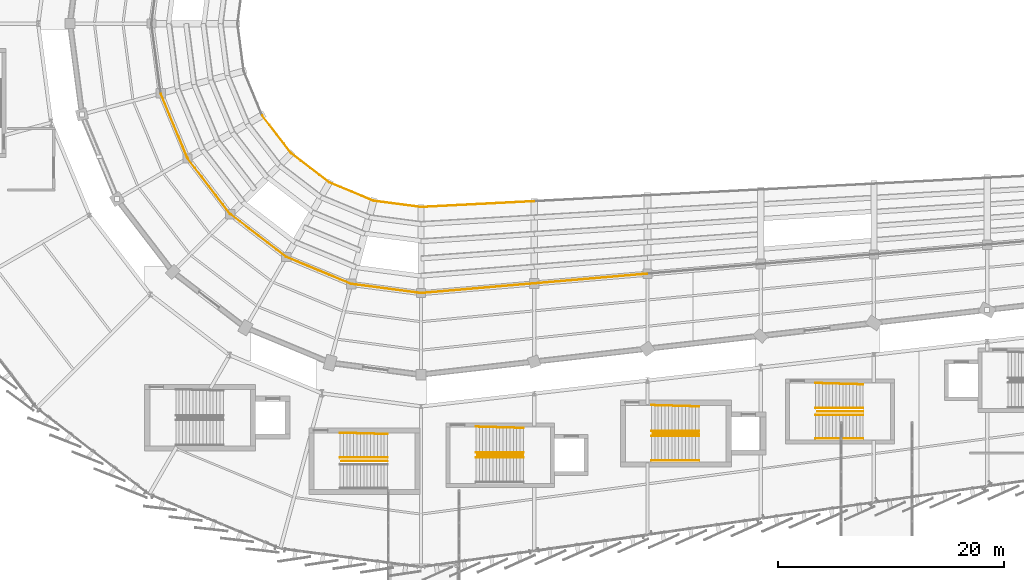
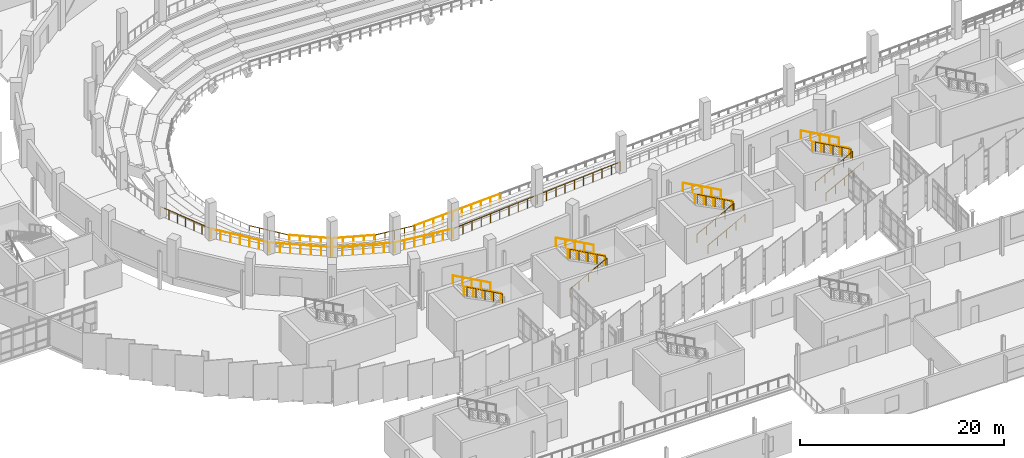
# One storey, part 125 of 134: 29 railings.
"""IFC4 building model written with IfcOpenShell, lengths in metres."""

from ifc_helpers import new_model, si_unit, direction, frame, origin, origin_2d, place, context, subcontext, project, spatial, circle, extrude, material, type_object, element, save


model = new_model("IFC4")

# Units and contexts
model_context = context("Model", 3, precision=1e-05, world=origin(), true_north=direction((0.0, 1.0)))
body_context = subcontext(model_context, "Body", "Model", "MODEL_VIEW")
ifc_project = project(units=[si_unit("LENGTHUNIT", "METRE"), si_unit("AREAUNIT", "SQUARE_METRE"), si_unit("VOLUMEUNIT", "CUBIC_METRE"), si_unit("PLANEANGLEUNIT", "RADIAN"), si_unit("MASSUNIT", "GRAM", prefix="KILO")], contexts=[model_context])

# Site, building, storey
site_placement = place(None, origin())
site = spatial("IfcSite", under=ifc_project, at=site_placement, CompositionType="ELEMENT")
building_placement = place(site_placement, origin())
building = spatial("IfcBuilding", under=site, at=building_placement, Name="Sohan Crest Arena", CompositionType="ELEMENT")
storey_placement = place(building_placement, frame((0.0, 0.0, 4.5)))
storey = spatial("IfcBuildingStorey", under=building, at=storey_placement, Name="L01", CompositionType="ELEMENT", Elevation=4.5)

# Railings
ifc_material_1 = material(Name="Powder-coated wrought steel balustrade", Category="steel")
railing_type_1 = type_object("IfcRailingType", Name="ARC-GRD-01", PredefinedType="GUARDRAIL", material=ifc_material_1)
for number, where, name in (
    (1, (107.030029296875, 39.89990234375, 2.25), "Stair well slot guard GRD-030"),
    (2, (122.530029296875, 41.800048828125, 2.25), "Stair well slot guard GRD-042"),
    (3, (95.030029296875, 39.360107421875, 2.25), "Stair well slot guard GRD-101"),
    (4, (137.030029296875, 43.75, 2.25), "Stair well slot guard GRD-113"),
):
    element("IfcRailing", number, at=place(storey_placement, frame(where)), inside=storey, type_object=railing_type_1, Name=name, PredefinedType="GUARDRAIL", context=body_context, shape_type="SweptSolid", body=[
        extrude(circle(Radius=0.02392578125, at=origin_2d()), frame((0.0, 0.0, 1.076171875), z_axis=(-0.87313487534, 0.0, 0.487478706678), x_axis=(0.0, -1.0, 0.0)), (0.0, 0.0, 1.0), 4.615478515625),
        extrude(circle(Radius=0.02099609375, at=origin_2d()), origin(), (0.0, 0.0, 1.0), 1.052001953125),
        extrude(circle(Radius=0.02099609375, at=origin_2d()), frame((-1.007568359375, 0.0, 0.5625)), (0.0, 0.0, 1.0), 1.052001953125),
        extrude(circle(Radius=0.02099609375, at=origin_2d()), frame((-2.01513671875, 0.0, 1.125)), (0.0, 0.0, 1.0), 1.052001953125),
        extrude(circle(Radius=0.02099609375, at=origin_2d()), frame((-3.0224609375, 0.0, 1.6875)), (0.0, 0.0, 1.0), 1.052001953125),
        extrude(circle(Radius=0.02099609375, at=origin_2d()), frame((-4.030029296875, 0.0, 2.25)), (0.0, 0.0, 1.0), 1.052001953125),
    ])
ifc_material_2 = material(Name="Laminated glass and steel sightline guard", Category="steel")
railing_type_2 = type_object("IfcRailingType", Name="ARC-GRD-02", PredefinedType="GUARDRAIL", material=ifc_material_2)
railing_1_placement = place(storey_placement, frame((83.993896484375, 69.867919921875, -4.25)))
element("IfcRailing", 5, at=railing_1_placement, inside=storey, type_object=railing_type_2, Name="Courtside bowl crowd barrier GRD-131", PredefinedType="GUARDRAIL", context=body_context, shape_type="SweptSolid", body=[
    extrude(circle(Radius=0.02392578125, at=origin_2d()), frame((0.0, 0.0, 1.1259765625), z_axis=(0.60903663261, -0.793142093284, 0.0), x_axis=(0.793142093284, 0.60903663261, 0.0)), (0.0, 0.0, 1.0), 4.1494140625),
    extrude(circle(Radius=0.02099609375, at=origin_2d()), origin(), (0.0, 0.0, 1.0), 1.101806640625),
    extrude(circle(Radius=0.02099609375, at=origin_2d()), frame((0.6318359375, -0.82275390625, 0.0)), (0.0, 0.0, 1.0), 1.101806640625),
    extrude(circle(Radius=0.02099609375, at=origin_2d()), frame((1.263671875, -1.6455078125, 0.0)), (0.0, 0.0, 1.0), 1.101806640625),
    extrude(circle(Radius=0.02099609375, at=origin_2d()), frame((1.895263671875, -2.46826171875, 0.0)), (0.0, 0.0, 1.0), 1.101806640625),
    extrude(circle(Radius=0.02099609375, at=origin_2d()), frame((2.527099609375, -3.291015625, 0.0)), (0.0, 0.0, 1.0), 1.101806640625),
])
railing_2_placement = place(storey_placement, frame((86.576904296875, 66.52099609375, -4.25)))
element("IfcRailing", 6, at=railing_2_placement, inside=storey, type_object=railing_type_2, Name="Courtside bowl crowd barrier GRD-132", PredefinedType="GUARDRAIL", context=body_context, shape_type="SweptSolid", body=[
    extrude(circle(Radius=0.02392578125, at=origin_2d()), frame((0.0, 0.0, 1.1259765625), z_axis=(0.793142093284, -0.60903663261, 0.0), x_axis=(0.60903663261, 0.793142093284, 0.0)), (0.0, 0.0, 1.0), 4.1494140625),
    extrude(circle(Radius=0.02099609375, at=origin_2d()), origin(), (0.0, 0.0, 1.0), 1.101806640625),
    extrude(circle(Radius=0.02099609375, at=origin_2d()), frame((0.82275390625, -0.6318359375, 0.0)), (0.0, 0.0, 1.0), 1.101806640625),
    extrude(circle(Radius=0.02099609375, at=origin_2d()), frame((1.6455078125, -1.263671875, 0.0)), (0.0, 0.0, 1.0), 1.101806640625),
    extrude(circle(Radius=0.02099609375, at=origin_2d()), frame((2.46826171875, -1.895263671875, 0.0)), (0.0, 0.0, 1.0), 1.101806640625),
    extrude(circle(Radius=0.02099609375, at=origin_2d()), frame((3.291015625, -2.527099609375, 0.0)), (0.0, 0.0, 1.0), 1.101806640625),
])
railing_3_placement = place(storey_placement, frame((89.93701171875, 63.955078125, -4.25)))
element("IfcRailing", 7, at=railing_3_placement, inside=storey, type_object=railing_type_2, Name="Courtside bowl crowd barrier GRD-133", PredefinedType="GUARDRAIL", context=body_context, shape_type="SweptSolid", body=[
    extrude(circle(Radius=0.02392578125, at=origin_2d()), frame((0.0, 0.0, 1.1259765625), z_axis=(0.923841100882, -0.382776201353, 0.0), x_axis=(0.382776201353, 0.923841100882, 0.0)), (0.0, 0.0, 1.0), 4.14892578125),
    extrude(circle(Radius=0.02099609375, at=origin_2d()), origin(), (0.0, 0.0, 1.0), 1.101806640625),
    extrude(circle(Radius=0.02099609375, at=origin_2d()), frame((0.958251953125, -0.39697265625, 0.0)), (0.0, 0.0, 1.0), 1.101806640625),
    extrude(circle(Radius=0.02099609375, at=origin_2d()), frame((1.91650390625, -0.7939453125, 0.0)), (0.0, 0.0, 1.0), 1.101806640625),
    extrude(circle(Radius=0.02099609375, at=origin_2d()), frame((2.874755859375, -1.191162109375, 0.0)), (0.0, 0.0, 1.0), 1.101806640625),
    extrude(circle(Radius=0.02099609375, at=origin_2d()), frame((3.8330078125, -1.588134765625, 0.0)), (0.0, 0.0, 1.0), 1.101806640625),
])
railing_4_placement = place(storey_placement, frame((93.846923828125, 62.346923828125, -4.25)))
element("IfcRailing", 8, at=railing_4_placement, inside=storey, type_object=railing_type_2, Name="Courtside bowl crowd barrier GRD-134", PredefinedType="GUARDRAIL", context=body_context, shape_type="SweptSolid", body=[
    extrude(circle(Radius=0.02392578125, at=origin_2d()), frame((0.0, 0.0, 1.1259765625), z_axis=(0.991429239412, -0.130644797976, 0.0), x_axis=(0.130644797976, 0.991429239412, 0.0)), (0.0, 0.0, 1.0), 4.148681640625),
    extrude(circle(Radius=0.02099609375, at=origin_2d()), origin(), (0.0, 0.0, 1.0), 1.101806640625),
    extrude(circle(Radius=0.02099609375, at=origin_2d()), frame((1.0283203125, -0.135498046875, 0.0)), (0.0, 0.0, 1.0), 1.101806640625),
    extrude(circle(Radius=0.02099609375, at=origin_2d()), frame((2.056640625, -0.27099609375, 0.0)), (0.0, 0.0, 1.0), 1.101806640625),
    extrude(circle(Radius=0.02099609375, at=origin_2d()), frame((3.084716796875, -0.406494140625, 0.0)), (0.0, 0.0, 1.0), 1.101806640625),
    extrude(circle(Radius=0.02099609375, at=origin_2d()), frame((4.113037109375, -0.5419921875, 0.0)), (0.0, 0.0, 1.0), 1.101806640625),
])
railing_5_placement = place(storey_placement, frame((98.0400390625, 61.802001953125, -4.25)))
element("IfcRailing", 9, at=railing_5_placement, inside=storey, type_object=railing_type_2, Name="Courtside bowl crowd barrier GRD-135", PredefinedType="GUARDRAIL", context=body_context, shape_type="SweptSolid", body=[
    extrude(circle(Radius=0.02392578125, at=origin_2d()), frame((0.0, 0.0, 1.1259765625), z_axis=(0.998680982493, 0.051344865437, 0.0), x_axis=(-0.051344865437, 0.998680982493, 0.0)), (0.0, 0.0, 1.0), 9.93310546875),
    extrude(circle(Radius=0.02099609375, at=origin_2d()), origin(), (0.0, 0.0, 1.0), 1.101806640625),
    extrude(circle(Radius=0.02099609375, at=origin_2d()), frame((1.102294921875, 0.056640625, 0.0)), (0.0, 0.0, 1.0), 1.101806640625),
    extrude(circle(Radius=0.02099609375, at=origin_2d()), frame((2.204345703125, 0.11328125, 0.0)), (0.0, 0.0, 1.0), 1.101806640625),
    extrude(circle(Radius=0.02099609375, at=origin_2d()), frame((3.306640625, 0.169921875, 0.0)), (0.0, 0.0, 1.0), 1.101806640625),
    extrude(circle(Radius=0.02099609375, at=origin_2d()), frame((4.408935546875, 0.2265625, 0.0)), (0.0, 0.0, 1.0), 1.101806640625),
    extrude(circle(Radius=0.02099609375, at=origin_2d()), frame((5.510986328125, 0.283447265625, 0.0)), (0.0, 0.0, 1.0), 1.101806640625),
    extrude(circle(Radius=0.02099609375, at=origin_2d()), frame((6.61328125, 0.340087890625, 0.0)), (0.0, 0.0, 1.0), 1.101806640625),
    extrude(circle(Radius=0.02099609375, at=origin_2d()), frame((7.715576171875, 0.396728515625, 0.0)), (0.0, 0.0, 1.0), 1.101806640625),
    extrude(circle(Radius=0.02099609375, at=origin_2d()), frame((8.817626953125, 0.453369140625, 0.0)), (0.0, 0.0, 1.0), 1.101806640625),
    extrude(circle(Radius=0.02099609375, at=origin_2d()), frame((9.919921875, 0.510009765625, 0.0)), (0.0, 0.0, 1.0), 1.101806640625),
])
railing_6_placement = place(storey_placement, frame((75.02587890625, 71.802978515625, 0.0)))
element("IfcRailing", 10, at=railing_6_placement, inside=storey, type_object=railing_type_2, Name="Bowl gallery edge guard GRD-191", PredefinedType="GUARDRAIL", context=body_context, shape_type="SweptSolid", body=[
    extrude(circle(Radius=0.02392578125, at=origin_2d()), frame((0.0, 0.0, 1.1259765625), z_axis=(0.38285098495, -0.923810112157, 0.0), x_axis=(0.923810112157, 0.38285098495, 0.0)), (0.0, 0.0, 1.0), 6.13330078125),
    extrude(circle(Radius=0.02099609375, at=origin_2d()), origin(), (0.0, 0.0, 1.0), 1.101806640625),
    extrude(circle(Radius=0.02099609375, at=origin_2d()), frame((0.391357421875, -0.9443359375, 0.0)), (0.0, 0.0, 1.0), 1.101806640625),
    extrude(circle(Radius=0.02099609375, at=origin_2d()), frame((0.78271484375, -1.888671875, 0.0)), (0.0, 0.0, 1.0), 1.101806640625),
    extrude(circle(Radius=0.02099609375, at=origin_2d()), frame((1.174072265625, -2.8330078125, 0.0)), (0.0, 0.0, 1.0), 1.101806640625),
    extrude(circle(Radius=0.02099609375, at=origin_2d()), frame((1.5654296875, -3.77734375, 0.0)), (0.0, 0.0, 1.0), 1.101806640625),
    extrude(circle(Radius=0.02099609375, at=origin_2d()), frame((1.956787109375, -4.7216796875, 0.0)), (0.0, 0.0, 1.0), 1.101806640625),
    extrude(circle(Radius=0.02099609375, at=origin_2d()), frame((2.34814453125, -5.666015625, 0.0)), (0.0, 0.0, 1.0), 1.101806640625),
])
railing_7_placement = place(storey_placement, frame((77.4130859375, 66.068115234375, 0.0)))
element("IfcRailing", 11, at=railing_7_placement, inside=storey, type_object=railing_type_2, Name="Bowl gallery edge guard GRD-192", PredefinedType="GUARDRAIL", context=body_context, shape_type="SweptSolid", body=[
    extrude(circle(Radius=0.02392578125, at=origin_2d()), frame((0.0, 0.0, 1.1259765625), z_axis=(0.608829272384, -0.793301277629, 0.0), x_axis=(0.793301277629, 0.608829272384, 0.0)), (0.0, 0.0, 1.0), 6.1328125),
    extrude(circle(Radius=0.02099609375, at=origin_2d()), origin(), (0.0, 0.0, 1.0), 1.101806640625),
    extrude(circle(Radius=0.02099609375, at=origin_2d()), frame((0.622314453125, -0.810791015625, 0.0)), (0.0, 0.0, 1.0), 1.101806640625),
    extrude(circle(Radius=0.02099609375, at=origin_2d()), frame((1.24462890625, -1.621826171875, 0.0)), (0.0, 0.0, 1.0), 1.101806640625),
    extrude(circle(Radius=0.02099609375, at=origin_2d()), frame((1.866943359375, -2.4326171875, 0.0)), (0.0, 0.0, 1.0), 1.101806640625),
    extrude(circle(Radius=0.02099609375, at=origin_2d()), frame((2.4892578125, -3.243408203125, 0.0)), (0.0, 0.0, 1.0), 1.101806640625),
    extrude(circle(Radius=0.02099609375, at=origin_2d()), frame((3.111572265625, -4.054443359375, 0.0)), (0.0, 0.0, 1.0), 1.101806640625),
    extrude(circle(Radius=0.02099609375, at=origin_2d()), frame((3.73388671875, -4.865234375, 0.0)), (0.0, 0.0, 1.0), 1.101806640625),
])
railing_8_placement = place(storey_placement, frame((81.202880859375, 61.14697265625, 0.0)))
element("IfcRailing", 12, at=railing_8_placement, inside=storey, type_object=railing_type_2, Name="Bowl gallery edge guard GRD-193", PredefinedType="GUARDRAIL", context=body_context, shape_type="SweptSolid", body=[
    extrude(circle(Radius=0.02392578125, at=origin_2d()), frame((0.0, 0.0, 1.1259765625), z_axis=(0.793301277629, -0.608829272384, 0.0), x_axis=(0.608829272384, 0.793301277629, 0.0)), (0.0, 0.0, 1.0), 6.1328125),
    extrude(circle(Radius=0.02099609375, at=origin_2d()), origin(), (0.0, 0.0, 1.0), 1.101806640625),
    extrude(circle(Radius=0.02099609375, at=origin_2d()), frame((0.810791015625, -0.622314453125, 0.0)), (0.0, 0.0, 1.0), 1.101806640625),
    extrude(circle(Radius=0.02099609375, at=origin_2d()), frame((1.621826171875, -1.24462890625, 0.0)), (0.0, 0.0, 1.0), 1.101806640625),
    extrude(circle(Radius=0.02099609375, at=origin_2d()), frame((2.4326171875, -1.866943359375, 0.0)), (0.0, 0.0, 1.0), 1.101806640625),
    extrude(circle(Radius=0.02099609375, at=origin_2d()), frame((3.243408203125, -2.4892578125, 0.0)), (0.0, 0.0, 1.0), 1.101806640625),
    extrude(circle(Radius=0.02099609375, at=origin_2d()), frame((4.054443359375, -3.111572265625, 0.0)), (0.0, 0.0, 1.0), 1.101806640625),
    extrude(circle(Radius=0.02099609375, at=origin_2d()), frame((4.865234375, -3.73388671875, 0.0)), (0.0, 0.0, 1.0), 1.101806640625),
])
railing_9_placement = place(storey_placement, frame((86.136962890625, 57.3740234375, 0.0)))
element("IfcRailing", 13, at=railing_9_placement, inside=storey, type_object=railing_type_2, Name="Bowl gallery edge guard GRD-194", PredefinedType="GUARDRAIL", context=body_context, shape_type="SweptSolid", body=[
    extrude(circle(Radius=0.02392578125, at=origin_2d()), frame((0.0, 0.0, 1.1259765625), z_axis=(0.923810112157, -0.38285098495, 0.0), x_axis=(0.38285098495, 0.923810112157, 0.0)), (0.0, 0.0, 1.0), 6.13330078125),
    extrude(circle(Radius=0.02099609375, at=origin_2d()), origin(), (0.0, 0.0, 1.0), 1.101806640625),
    extrude(circle(Radius=0.02099609375, at=origin_2d()), frame((0.9443359375, -0.391357421875, 0.0)), (0.0, 0.0, 1.0), 1.101806640625),
    extrude(circle(Radius=0.02099609375, at=origin_2d()), frame((1.888671875, -0.78271484375, 0.0)), (0.0, 0.0, 1.0), 1.101806640625),
    extrude(circle(Radius=0.02099609375, at=origin_2d()), frame((2.8330078125, -1.174072265625, 0.0)), (0.0, 0.0, 1.0), 1.101806640625),
    extrude(circle(Radius=0.02099609375, at=origin_2d()), frame((3.77734375, -1.5654296875, 0.0)), (0.0, 0.0, 1.0), 1.101806640625),
    extrude(circle(Radius=0.02099609375, at=origin_2d()), frame((4.7216796875, -1.956787109375, 0.0)), (0.0, 0.0, 1.0), 1.101806640625),
    extrude(circle(Radius=0.02099609375, at=origin_2d()), frame((5.666015625, -2.34814453125, 0.0)), (0.0, 0.0, 1.0), 1.101806640625),
])
railing_10_placement = place(storey_placement, frame((91.8798828125, 55.006103515625, 0.0)))
element("IfcRailing", 14, at=railing_10_placement, inside=storey, type_object=railing_type_2, Name="Bowl gallery edge guard GRD-195", PredefinedType="GUARDRAIL", context=body_context, shape_type="SweptSolid", body=[
    extrude(circle(Radius=0.02392578125, at=origin_2d()), frame((0.0, 0.0, 1.1259765625), z_axis=(0.991432873037, -0.130617220384, 0.0), x_axis=(0.130617220384, 0.991432873037, 0.0)), (0.0, 0.0, 1.0), 6.132568359375),
    extrude(circle(Radius=0.02099609375, at=origin_2d()), origin(), (0.0, 0.0, 1.0), 1.101806640625),
    extrude(circle(Radius=0.02099609375, at=origin_2d()), frame((1.013427734375, -0.133544921875, 0.0)), (0.0, 0.0, 1.0), 1.101806640625),
    extrude(circle(Radius=0.02099609375, at=origin_2d()), frame((2.026611328125, -0.26708984375, 0.0)), (0.0, 0.0, 1.0), 1.101806640625),
    extrude(circle(Radius=0.02099609375, at=origin_2d()), frame((3.0400390625, -0.400390625, 0.0)), (0.0, 0.0, 1.0), 1.101806640625),
    extrude(circle(Radius=0.02099609375, at=origin_2d()), frame((4.053466796875, -0.533935546875, 0.0)), (0.0, 0.0, 1.0), 1.101806640625),
    extrude(circle(Radius=0.02099609375, at=origin_2d()), frame((5.066650390625, -0.66748046875, 0.0)), (0.0, 0.0, 1.0), 1.101806640625),
    extrude(circle(Radius=0.02099609375, at=origin_2d()), frame((6.080078125, -0.801025390625, 0.0)), (0.0, 0.0, 1.0), 1.101806640625),
])
railing_11_placement = place(storey_placement, frame((98.0400390625, 54.202880859375, 0.0)))
element("IfcRailing", 15, at=railing_11_placement, inside=storey, type_object=railing_type_2, Name="Bowl gallery edge guard GRD-196", PredefinedType="GUARDRAIL", context=body_context, shape_type="SweptSolid", body=[
    extrude(circle(Radius=0.02392578125, at=origin_2d()), frame((0.0, 0.0, 1.1259765625), z_axis=(0.996339849936, 0.085480427173, 0.0), x_axis=(-0.085480427173, 0.996339849936, 0.0)), (0.0, 0.0, 1.0), 9.956298828125),
    extrude(circle(Radius=0.02099609375, at=origin_2d()), origin(), (0.0, 0.0, 1.0), 1.101806640625),
    extrude(circle(Radius=0.02099609375, at=origin_2d()), frame((1.102294921875, 0.094482421875, 0.0)), (0.0, 0.0, 1.0), 1.101806640625),
    extrude(circle(Radius=0.02099609375, at=origin_2d()), frame((2.204345703125, 0.189208984375, 0.0)), (0.0, 0.0, 1.0), 1.101806640625),
    extrude(circle(Radius=0.02099609375, at=origin_2d()), frame((3.306640625, 0.28369140625, 0.0)), (0.0, 0.0, 1.0), 1.101806640625),
    extrude(circle(Radius=0.02099609375, at=origin_2d()), frame((4.408935546875, 0.378173828125, 0.0)), (0.0, 0.0, 1.0), 1.101806640625),
    extrude(circle(Radius=0.02099609375, at=origin_2d()), frame((5.510986328125, 0.472900390625, 0.0)), (0.0, 0.0, 1.0), 1.101806640625),
    extrude(circle(Radius=0.02099609375, at=origin_2d()), frame((6.61328125, 0.5673828125, 0.0)), (0.0, 0.0, 1.0), 1.101806640625),
    extrude(circle(Radius=0.02099609375, at=origin_2d()), frame((7.715576171875, 0.661865234375, 0.0)), (0.0, 0.0, 1.0), 1.101806640625),
    extrude(circle(Radius=0.02099609375, at=origin_2d()), frame((8.817626953125, 0.756591796875, 0.0)), (0.0, 0.0, 1.0), 1.101806640625),
    extrude(circle(Radius=0.02099609375, at=origin_2d()), frame((9.919921875, 0.85107421875, 0.0)), (0.0, 0.0, 1.0), 1.101806640625),
])
railing_12_placement = place(storey_placement, frame((108.0400390625, 55.06005859375, 0.0)))
element("IfcRailing", 16, at=railing_12_placement, inside=storey, type_object=railing_type_2, Name="Bowl gallery edge guard GRD-197", PredefinedType="GUARDRAIL", context=body_context, shape_type="SweptSolid", body=[
    extrude(circle(Radius=0.02392578125, at=origin_2d()), frame((0.0, 0.0, 1.1259765625), z_axis=(0.996341938042, 0.085456085206, 0.0), x_axis=(-0.085456085206, 0.996341938042, 0.0)), (0.0, 0.0, 1.0), 9.956298828125),
    extrude(circle(Radius=0.02099609375, at=origin_2d()), origin(), (0.0, 0.0, 1.0), 1.101806640625),
    extrude(circle(Radius=0.02099609375, at=origin_2d()), frame((1.102294921875, 0.094482421875, 0.0)), (0.0, 0.0, 1.0), 1.101806640625),
    extrude(circle(Radius=0.02099609375, at=origin_2d()), frame((2.204345703125, 0.18896484375, 0.0)), (0.0, 0.0, 1.0), 1.101806640625),
    extrude(circle(Radius=0.02099609375, at=origin_2d()), frame((3.306640625, 0.28369140625, 0.0)), (0.0, 0.0, 1.0), 1.101806640625),
    extrude(circle(Radius=0.02099609375, at=origin_2d()), frame((4.408935546875, 0.378173828125, 0.0)), (0.0, 0.0, 1.0), 1.101806640625),
    extrude(circle(Radius=0.02099609375, at=origin_2d()), frame((5.510986328125, 0.47265625, 0.0)), (0.0, 0.0, 1.0), 1.101806640625),
    extrude(circle(Radius=0.02099609375, at=origin_2d()), frame((6.61328125, 0.567138671875, 0.0)), (0.0, 0.0, 1.0), 1.101806640625),
    extrude(circle(Radius=0.02099609375, at=origin_2d()), frame((7.715576171875, 0.661865234375, 0.0)), (0.0, 0.0, 1.0), 1.101806640625),
    extrude(circle(Radius=0.02099609375, at=origin_2d()), frame((8.817626953125, 0.75634765625, 0.0)), (0.0, 0.0, 1.0), 1.101806640625),
    extrude(circle(Radius=0.02099609375, at=origin_2d()), frame((9.919921875, 0.850830078125, 0.0)), (0.0, 0.0, 1.0), 1.101806640625),
])
ifc_material_3 = material(Name="Brushed stainless steel stair handrail", Category="steel")
railing_type_3 = type_object("IfcRailingType", Name="ARC-HR-01", PredefinedType="HANDRAIL", material=ifc_material_3)
railing_13_placement = place(storey_placement, frame((102.85009765625, 39.68994140625, 0.0)))
element("IfcRailing", 17, at=railing_13_placement, inside=storey, type_object=railing_type_3, Name="Stair pitch handrail HR-102", PredefinedType="HANDRAIL", context=body_context, shape_type="SweptSolid", body=[
    extrude(circle(Radius=0.02392578125, at=origin_2d()), frame((0.0, 0.0, 0.97607421875), z_axis=(0.881477684796, 0.0, 0.472225678258), x_axis=(0.0, 1.0, 0.0)), (0.0, 0.0, 1.0), 4.7646484375),
    extrude(circle(Radius=0.02099609375, at=origin_2d()), origin(), (0.0, 0.0, 1.0), 0.951904296875),
    extrude(circle(Radius=0.02099609375, at=origin_2d()), frame((1.050048828125, 0.0, 0.5625)), (0.0, 0.0, 1.0), 0.951904296875),
    extrude(circle(Radius=0.02099609375, at=origin_2d()), frame((2.10009765625, 0.0, 1.125)), (0.0, 0.0, 1.0), 0.951904296875),
    extrude(circle(Radius=0.02099609375, at=origin_2d()), frame((3.14990234375, 0.0, 1.6875)), (0.0, 0.0, 1.0), 0.951904296875),
    extrude(circle(Radius=0.02099609375, at=origin_2d()), frame((4.199951171875, 0.0, 2.25)), (0.0, 0.0, 1.0), 0.951904296875),
])
railing_14_placement = place(storey_placement, frame((107.050048828125, 40.110107421875, 2.25)))
element("IfcRailing", 18, at=railing_14_placement, inside=storey, type_object=railing_type_3, Name="Stair pitch handrail HR-103", PredefinedType="HANDRAIL", context=body_context, shape_type="SweptSolid", body=[
    extrude(circle(Radius=0.02392578125, at=origin_2d()), frame((0.0, 0.0, 0.97607421875), z_axis=(-0.881477684796, 0.0, 0.472225678258), x_axis=(0.0, -1.0, 0.0)), (0.0, 0.0, 1.0), 4.7646484375),
    extrude(circle(Radius=0.02099609375, at=origin_2d()), origin(), (0.0, 0.0, 1.0), 0.951904296875),
    extrude(circle(Radius=0.02099609375, at=origin_2d()), frame((-1.050048828125, 0.0, 0.5625)), (0.0, 0.0, 1.0), 0.951904296875),
    extrude(circle(Radius=0.02099609375, at=origin_2d()), frame((-2.10009765625, 0.0, 1.125)), (0.0, 0.0, 1.0), 0.951904296875),
    extrude(circle(Radius=0.02099609375, at=origin_2d()), frame((-3.14990234375, 0.0, 1.6875)), (0.0, 0.0, 1.0), 0.951904296875),
    extrude(circle(Radius=0.02099609375, at=origin_2d()), frame((-4.199951171875, 0.0, 2.25)), (0.0, 0.0, 1.0), 0.951904296875),
])
railing_15_placement = place(storey_placement, frame((107.050048828125, 42.2900390625, 2.25)))
element("IfcRailing", 19, at=railing_15_placement, inside=storey, type_object=railing_type_3, Name="Stair pitch handrail HR-104", PredefinedType="HANDRAIL", context=body_context, shape_type="SweptSolid", body=[
    extrude(circle(Radius=0.02392578125, at=origin_2d()), frame((0.0, 0.0, 0.97607421875), z_axis=(-0.881198846469, 0.025150766356, 0.472076298847), x_axis=(-0.028529915312, -0.999592939117, 0.0)), (0.0, 0.0, 1.0), 4.76611328125),
    extrude(circle(Radius=0.02099609375, at=origin_2d()), origin(), (0.0, 0.0, 1.0), 0.951904296875),
    extrude(circle(Radius=0.02099609375, at=origin_2d()), frame((-1.050048828125, 0.030029296875, 0.5625)), (0.0, 0.0, 1.0), 0.951904296875),
    extrude(circle(Radius=0.02099609375, at=origin_2d()), frame((-2.10009765625, 0.06005859375, 1.125)), (0.0, 0.0, 1.0), 0.951904296875),
    extrude(circle(Radius=0.02099609375, at=origin_2d()), frame((-3.14990234375, 0.08984375, 1.6875)), (0.0, 0.0, 1.0), 0.951904296875),
    extrude(circle(Radius=0.02099609375, at=origin_2d()), frame((-4.199951171875, 0.119873046875, 2.25)), (0.0, 0.0, 1.0), 0.951904296875),
])
for number, where, name in (
    (20, (118.35009765625, 39.409912109375, 0.0), "Stair pitch handrail HR-141"),
    (21, (118.35009765625, 41.590087890625, 0.0), "Stair pitch handrail HR-142"),
):
    element("IfcRailing", number, at=place(storey_placement, frame(where)), inside=storey, type_object=railing_type_3, Name=name, PredefinedType="HANDRAIL", context=body_context, shape_type="SweptSolid", body=[
        extrude(circle(Radius=0.02392578125, at=origin_2d()), frame((0.0, 0.0, 0.97607421875), z_axis=(0.881477684796, 0.0, 0.472225678258), x_axis=(0.0, 1.0, 0.0)), (0.0, 0.0, 1.0), 4.7646484375),
        extrude(circle(Radius=0.02099609375, at=origin_2d()), origin(), (0.0, 0.0, 1.0), 0.951904296875),
        extrude(circle(Radius=0.02099609375, at=origin_2d()), frame((1.050048828125, 0.0, 0.5625)), (0.0, 0.0, 1.0), 0.951904296875),
        extrude(circle(Radius=0.02099609375, at=origin_2d()), frame((2.10009765625, 0.0, 1.125)), (0.0, 0.0, 1.0), 0.951904296875),
        extrude(circle(Radius=0.02099609375, at=origin_2d()), frame((3.14990234375, 0.0, 1.6875)), (0.0, 0.0, 1.0), 0.951904296875),
        extrude(circle(Radius=0.02099609375, at=origin_2d()), frame((4.199951171875, 0.0, 2.25)), (0.0, 0.0, 1.0), 0.951904296875),
    ])
railing_16_placement = place(storey_placement, frame((122.550048828125, 42.010009765625, 2.25)))
element("IfcRailing", 22, at=railing_16_placement, inside=storey, type_object=railing_type_3, Name="Stair pitch handrail HR-143", PredefinedType="HANDRAIL", context=body_context, shape_type="SweptSolid", body=[
    extrude(circle(Radius=0.02392578125, at=origin_2d()), frame((0.0, 0.0, 0.97607421875), z_axis=(-0.881477684796, 0.0, 0.472225678258), x_axis=(0.0, -1.0, 0.0)), (0.0, 0.0, 1.0), 4.7646484375),
    extrude(circle(Radius=0.02099609375, at=origin_2d()), origin(), (0.0, 0.0, 1.0), 0.951904296875),
    extrude(circle(Radius=0.02099609375, at=origin_2d()), frame((-1.050048828125, 0.0, 0.5625)), (0.0, 0.0, 1.0), 0.951904296875),
    extrude(circle(Radius=0.02099609375, at=origin_2d()), frame((-2.10009765625, 0.0, 1.125)), (0.0, 0.0, 1.0), 0.951904296875),
    extrude(circle(Radius=0.02099609375, at=origin_2d()), frame((-3.14990234375, 0.0, 1.6875)), (0.0, 0.0, 1.0), 0.951904296875),
    extrude(circle(Radius=0.02099609375, at=origin_2d()), frame((-4.199951171875, 0.0, 2.25)), (0.0, 0.0, 1.0), 0.951904296875),
])
railing_17_placement = place(storey_placement, frame((122.550048828125, 44.18994140625, 2.25)))
element("IfcRailing", 23, at=railing_17_placement, inside=storey, type_object=railing_type_3, Name="Stair pitch handrail HR-144", PredefinedType="HANDRAIL", context=body_context, shape_type="SweptSolid", body=[
    extrude(circle(Radius=0.02392578125, at=origin_2d()), frame((0.0, 0.0, 0.97607421875), z_axis=(-0.881197710057, 0.025201957411, 0.472075690047), x_axis=(-0.028587973606, -0.999591280357, 0.0)), (0.0, 0.0, 1.0), 4.76611328125),
    extrude(circle(Radius=0.02099609375, at=origin_2d()), origin(), (0.0, 0.0, 1.0), 0.951904296875),
    extrude(circle(Radius=0.02099609375, at=origin_2d()), frame((-1.050048828125, 0.030029296875, 0.5625)), (0.0, 0.0, 1.0), 0.951904296875),
    extrude(circle(Radius=0.02099609375, at=origin_2d()), frame((-2.10009765625, 0.06005859375, 1.125)), (0.0, 0.0, 1.0), 0.951904296875),
    extrude(circle(Radius=0.02099609375, at=origin_2d()), frame((-3.14990234375, 0.090087890625, 1.6875)), (0.0, 0.0, 1.0), 0.951904296875),
    extrude(circle(Radius=0.02099609375, at=origin_2d()), frame((-4.199951171875, 0.1201171875, 2.25)), (0.0, 0.0, 1.0), 0.951904296875),
])
railing_18_placement = place(storey_placement, frame((95.050048828125, 39.669921875, 2.25)))
element("IfcRailing", 24, at=railing_18_placement, inside=storey, type_object=railing_type_3, Name="Stair pitch handrail HR-331", PredefinedType="HANDRAIL", context=body_context, shape_type="SweptSolid", body=[
    extrude(circle(Radius=0.02392578125, at=origin_2d()), frame((0.0, 0.0, 0.97607421875), z_axis=(-0.881477684796, 0.0, 0.472225678258), x_axis=(0.0, -1.0, 0.0)), (0.0, 0.0, 1.0), 4.7646484375),
    extrude(circle(Radius=0.02099609375, at=origin_2d()), origin(), (0.0, 0.0, 1.0), 0.951904296875),
    extrude(circle(Radius=0.02099609375, at=origin_2d()), frame((-1.050048828125, 0.0, 0.5625)), (0.0, 0.0, 1.0), 0.951904296875),
    extrude(circle(Radius=0.02099609375, at=origin_2d()), frame((-2.10009765625, 0.0, 1.125)), (0.0, 0.0, 1.0), 0.951904296875),
    extrude(circle(Radius=0.02099609375, at=origin_2d()), frame((-3.14990234375, 0.0, 1.6875)), (0.0, 0.0, 1.0), 0.951904296875),
    extrude(circle(Radius=0.02099609375, at=origin_2d()), frame((-4.199951171875, 0.0, 2.25)), (0.0, 0.0, 1.0), 0.951904296875),
])
railing_19_placement = place(storey_placement, frame((95.050048828125, 41.75, 2.25)))
element("IfcRailing", 25, at=railing_19_placement, inside=storey, type_object=railing_type_3, Name="Stair pitch handrail HR-332", PredefinedType="HANDRAIL", context=body_context, shape_type="SweptSolid", body=[
    extrude(circle(Radius=0.02392578125, at=origin_2d()), frame((0.0, 0.0, 0.97607421875), z_axis=(-0.881197710057, 0.025201957411, 0.472075690047), x_axis=(-0.028587973606, -0.999591280357, 0.0)), (0.0, 0.0, 1.0), 4.76611328125),
    extrude(circle(Radius=0.02099609375, at=origin_2d()), origin(), (0.0, 0.0, 1.0), 0.951904296875),
    extrude(circle(Radius=0.02099609375, at=origin_2d()), frame((-1.050048828125, 0.030029296875, 0.5625)), (0.0, 0.0, 1.0), 0.951904296875),
    extrude(circle(Radius=0.02099609375, at=origin_2d()), frame((-2.10009765625, 0.06005859375, 1.125)), (0.0, 0.0, 1.0), 0.951904296875),
    extrude(circle(Radius=0.02099609375, at=origin_2d()), frame((-3.14990234375, 0.090087890625, 1.6875)), (0.0, 0.0, 1.0), 0.951904296875),
    extrude(circle(Radius=0.02099609375, at=origin_2d()), frame((-4.199951171875, 0.1201171875, 2.25)), (0.0, 0.0, 1.0), 0.951904296875),
])
for number, where, name in (
    (26, (132.85009765625, 41.360107421875, 0.0), "Stair pitch handrail HR-369"),
    (27, (132.85009765625, 43.43994140625, 0.0), "Stair pitch handrail HR-370"),
):
    element("IfcRailing", number, at=place(storey_placement, frame(where)), inside=storey, type_object=railing_type_3, Name=name, PredefinedType="HANDRAIL", context=body_context, shape_type="SweptSolid", body=[
        extrude(circle(Radius=0.02392578125, at=origin_2d()), frame((0.0, 0.0, 0.97607421875), z_axis=(0.881477684796, 0.0, 0.472225678258), x_axis=(0.0, 1.0, 0.0)), (0.0, 0.0, 1.0), 4.7646484375),
        extrude(circle(Radius=0.02099609375, at=origin_2d()), origin(), (0.0, 0.0, 1.0), 0.951904296875),
        extrude(circle(Radius=0.02099609375, at=origin_2d()), frame((1.050048828125, 0.0, 0.5625)), (0.0, 0.0, 1.0), 0.951904296875),
        extrude(circle(Radius=0.02099609375, at=origin_2d()), frame((2.10009765625, 0.0, 1.125)), (0.0, 0.0, 1.0), 0.951904296875),
        extrude(circle(Radius=0.02099609375, at=origin_2d()), frame((3.14990234375, 0.0, 1.6875)), (0.0, 0.0, 1.0), 0.951904296875),
        extrude(circle(Radius=0.02099609375, at=origin_2d()), frame((4.199951171875, 0.0, 2.25)), (0.0, 0.0, 1.0), 0.951904296875),
    ])
railing_20_placement = place(storey_placement, frame((137.050048828125, 44.06005859375, 2.25)))
element("IfcRailing", 28, at=railing_20_placement, inside=storey, type_object=railing_type_3, Name="Stair pitch handrail HR-371", PredefinedType="HANDRAIL", context=body_context, shape_type="SweptSolid", body=[
    extrude(circle(Radius=0.02392578125, at=origin_2d()), frame((0.0, 0.0, 0.97607421875), z_axis=(-0.881477684796, 0.0, 0.472225678258), x_axis=(0.0, -1.0, 0.0)), (0.0, 0.0, 1.0), 4.7646484375),
    extrude(circle(Radius=0.02099609375, at=origin_2d()), origin(), (0.0, 0.0, 1.0), 0.951904296875),
    extrude(circle(Radius=0.02099609375, at=origin_2d()), frame((-1.050048828125, 0.0, 0.5625)), (0.0, 0.0, 1.0), 0.951904296875),
    extrude(circle(Radius=0.02099609375, at=origin_2d()), frame((-2.10009765625, 0.0, 1.125)), (0.0, 0.0, 1.0), 0.951904296875),
    extrude(circle(Radius=0.02099609375, at=origin_2d()), frame((-3.14990234375, 0.0, 1.6875)), (0.0, 0.0, 1.0), 0.951904296875),
    extrude(circle(Radius=0.02099609375, at=origin_2d()), frame((-4.199951171875, 0.0, 2.25)), (0.0, 0.0, 1.0), 0.951904296875),
])
railing_21_placement = place(storey_placement, frame((137.050048828125, 46.139892578125, 2.25)))
element("IfcRailing", 29, at=railing_21_placement, inside=storey, type_object=railing_type_3, Name="Stair pitch handrail HR-372", PredefinedType="HANDRAIL", context=body_context, shape_type="SweptSolid", body=[
    extrude(circle(Radius=0.02392578125, at=origin_2d()), frame((0.0, 0.0, 0.97607421875), z_axis=(-0.881197710057, 0.025201957411, 0.472075690047), x_axis=(-0.028587973606, -0.999591280357, 0.0)), (0.0, 0.0, 1.0), 4.76611328125),
    extrude(circle(Radius=0.02099609375, at=origin_2d()), origin(), (0.0, 0.0, 1.0), 0.951904296875),
    extrude(circle(Radius=0.02099609375, at=origin_2d()), frame((-1.050048828125, 0.030029296875, 0.5625)), (0.0, 0.0, 1.0), 0.951904296875),
    extrude(circle(Radius=0.02099609375, at=origin_2d()), frame((-2.10009765625, 0.06005859375, 1.125)), (0.0, 0.0, 1.0), 0.951904296875),
    extrude(circle(Radius=0.02099609375, at=origin_2d()), frame((-3.14990234375, 0.090087890625, 1.6875)), (0.0, 0.0, 1.0), 0.951904296875),
    extrude(circle(Radius=0.02099609375, at=origin_2d()), frame((-4.199951171875, 0.1201171875, 2.25)), (0.0, 0.0, 1.0), 0.951904296875),
])

save(model, "model.ifc")
